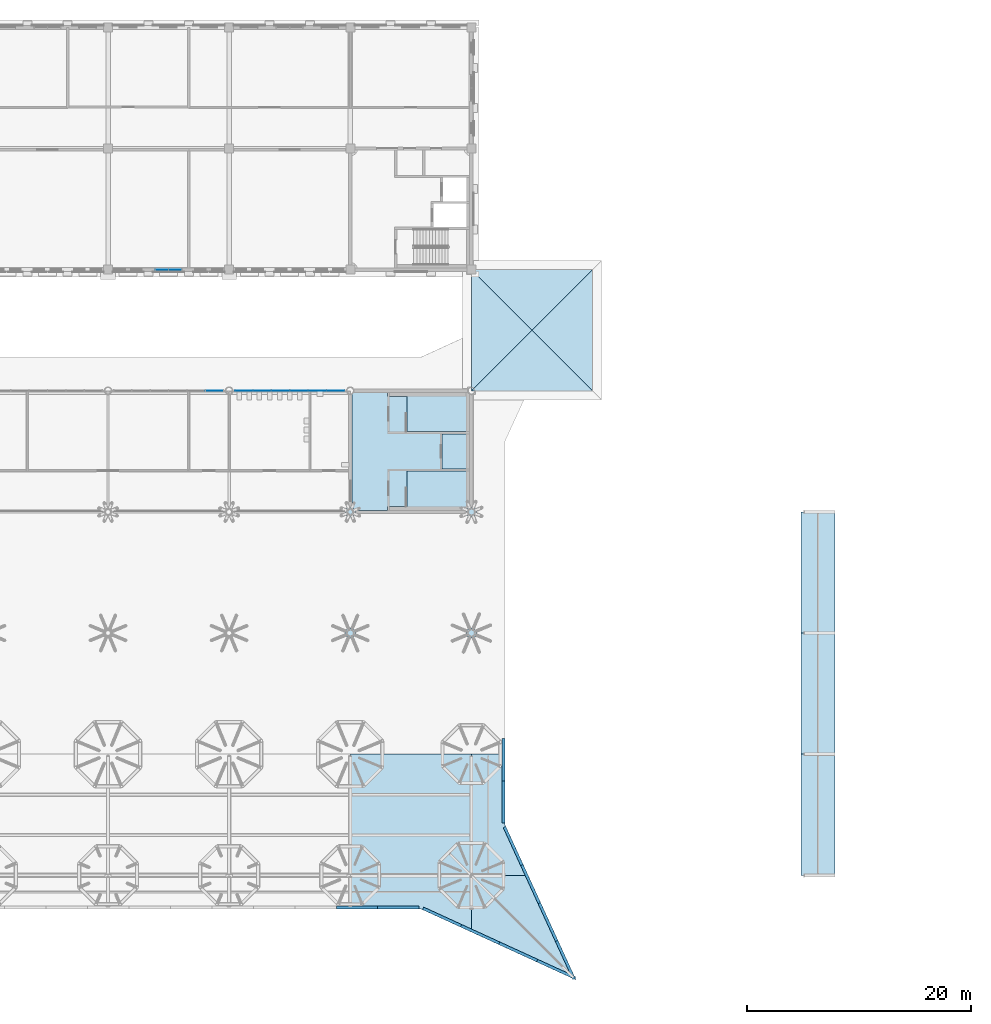
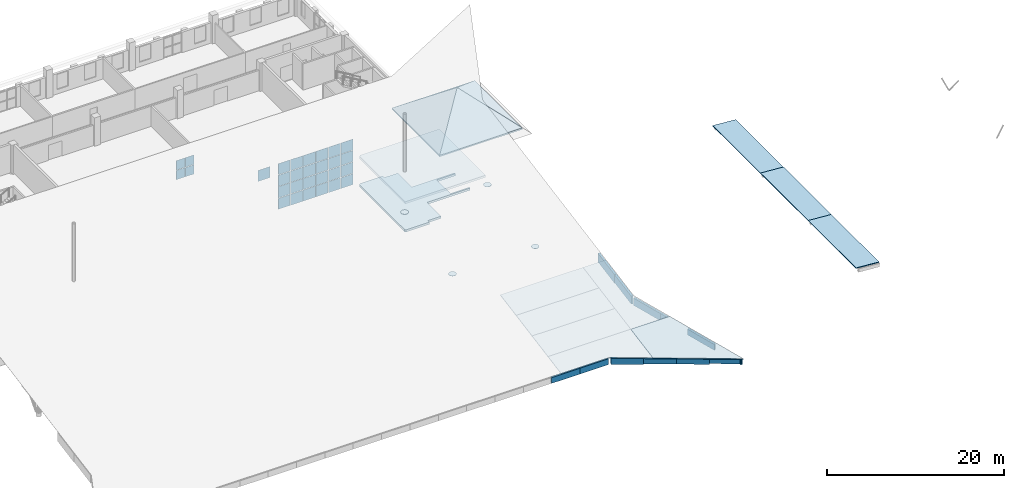
# One storey, part 31 of 56: 45 plates, 15 slabs, 3 elements without a shape of their own.
"""IFC4 building model written with IfcOpenShell, lengths in metres."""

from ifc_helpers import new_model, si_unit, direction, frame, origin, origin_2d, place, context, subcontext, project, spatial, polyline, rectangle, circle, outline, extrude, material, layer, layer_set, material_profile, profile_set, type_object, element, aggregate, save


model = new_model("IFC4")

# Units and contexts
model_context = context("Model", 3, precision=1e-05, world=origin(), true_north=direction((0.0, 1.0)))
body_context = subcontext(model_context, "Body", "Model", "MODEL_VIEW")
ifc_project = project(units=[si_unit("LENGTHUNIT", "METRE"), si_unit("AREAUNIT", "SQUARE_METRE"), si_unit("VOLUMEUNIT", "CUBIC_METRE"), si_unit("PLANEANGLEUNIT", "RADIAN"), si_unit("MASSUNIT", "GRAM", prefix="KILO")], contexts=[model_context])

# Site, building, storey
site_placement = place(None, origin())
site = spatial("IfcSite", under=ifc_project, at=site_placement, CompositionType="ELEMENT")
building_placement = place(site_placement, origin())
building = spatial("IfcBuilding", under=site, at=building_placement, Name="Magnolia Steps Interchange", CompositionType="ELEMENT")
storey_placement = place(building_placement, frame((0.0, 0.0, 8.699951171875)))
storey = spatial("IfcBuildingStorey", under=building, at=storey_placement, Name="L02", CompositionType="ELEMENT", Elevation=8.699951171875)

# Slabs
ifc_material_1 = material(Name="Concrete C30", Category="concrete")
ifc_layer_1 = layer(ifc_material_1, 0.10009765625)
ifc_layer_set_1 = layer_set([ifc_layer_1], Name="Composite roof deck 100")
slab_type_1 = type_object("IfcSlabType", Name="Composite roof deck 100", PredefinedType="ROOF", material=ifc_layer_set_1)
slab_1_placement = place(storey_placement, frame((118.0, 37.339599609375, 1.423095703125), z_axis=(1.424793e-06, -0.179958171072, 0.983674263495), x_axis=(-7e-12, 0.983674263496, 0.179958171072)))
element("IfcSlab", 1, at=slab_1_placement, inside=storey, type_object=slab_type_1, Name="Composite roof deck panel", PredefinedType="ROOF", context=body_context, shape_type="SweptSolid", body=[
    extrude(outline(polyline([(0.0, 0.0), (5.144291466, 0.0), (5.144291466, 10.800048828), (2.09450257, 10.800048828), (2.09450257, 4.5), (0.0, 0.0)])), origin(), (-0.179958171072, -1.401531e-06, -0.983674263495), 0.1015625),
])
slab_2_placement = place(storey_placement, frame((118.0, 42.39990234375, 2.348876953125), z_axis=(0.0, -0.179912650592, 0.983682590146), x_axis=(0.0, 0.983682590146, 0.179912650592)))
element("IfcSlab", 2, at=slab_2_placement, inside=storey, type_object=slab_type_1, Name="Composite roof deck panel", PredefinedType="ROOF", context=body_context, shape_type="SweptSolid", body=[
    extrude(outline(polyline([(0.0, 0.0), (3.65981638, 0.0), (3.65981638, 10.800048828), (0.0, 10.800048828), (0.0, 0.0)])), origin(), (-0.179912650592, 0.0, -0.983682590146), 0.1015625),
])
slab_3_placement = place(storey_placement, frame((118.0, 46.0, 3.00732421875), z_axis=(0.0, -0.179977198609, 0.983670782315), x_axis=(0.0, 0.983670782315, 0.179977198609)))
element("IfcSlab", 3, at=slab_3_placement, inside=storey, type_object=slab_type_1, Name="Composite roof deck panel", PredefinedType="ROOF", context=body_context, shape_type="SweptSolid", body=[
    extrude(outline(polyline([(0.0, 0.0), (3.659860312, 0.0), (3.659860312, 10.800048828), (0.0, 10.800048828), (0.0, 0.0)])), origin(), (-0.179977198609, 0.0, -0.983670782315), 0.1015625),
])
slab_4_placement = place(storey_placement, frame((118.0, 49.60009765625, 3.666015625), z_axis=(0.0, -0.179924457208, 0.983680430678), x_axis=(0.0, 0.983680430678, 0.179924457208)))
element("IfcSlab", 4, at=slab_4_placement, inside=storey, type_object=slab_type_1, Name="Composite roof deck panel", PredefinedType="ROOF", context=body_context, shape_type="SweptSolid", body=[
    extrude(outline(polyline([(0.0, 0.0), (3.659576223, 0.0), (3.659576223, 10.800048828), (0.0, 10.800048828), (0.0, 0.0)])), origin(), (-0.179924457208, 0.0, -0.983680430678), 0.1015625),
])
slab_5_placement = place(storey_placement, frame((123.060302734375, 42.39990234375, 2.348876953125), z_axis=(-4.539669e-06, -0.179958437245, 0.983674214791), x_axis=(-0.99999999999, 8.16952e-07, -4.465555e-06)))
element("IfcSlab", 5, at=slab_5_placement, inside=storey, type_object=slab_type_1, Name="Composite roof deck panel", PredefinedType="ROOF", context=body_context, shape_type="SweptSolid", body=[
    extrude(outline(polyline([(0.0, 0.0), (5.060302734, 0.0), (5.060302734, 5.144291466), (-4.2734375, 9.488642143), (0.0, 0.0)])), origin(), (4.465555e-06, 0.179958437247, -0.983674214791), 0.1015625),
])
slab_6_placement = place(storey_placement, frame((121.0, 53.199951171875, 4.324462890625), z_axis=(-1.220577e-05, -0.179940355729, 0.983677522479), x_axis=(-0.999999999926, 2.196311e-06, -1.2006541e-05)))
element("IfcSlab", 6, at=slab_6_placement, inside=storey, type_object=slab_type_1, Name="Composite roof deck panel", PredefinedType="ROOF", context=body_context, shape_type="SweptSolid", body=[
    extrude(outline(polyline([(0.0, 0.0), (3.0, 0.0), (2.999999999, 10.979252911), (-2.060302735, 10.979252911), (-1e-09, 6.404569568), (0.0, 0.0)])), origin(), (1.2006541e-05, 0.179940355743, -0.983677522479), 0.1015625),
])
for number, where, z_axis, x_axis, name in (
    (7, (147.39990234375, 42.39990234375, 0.5), (0.072723593097, 0.0, 0.997352133906), (0.997352133906, 0.0, -0.072723593097), "Composite roof deck panel"),
    (8, (147.39990234375, 53.199951171875, 0.5), (0.072723593097, 0.0, 0.997352133906), (0.997352133906, 0.0, -0.072723593097), "Composite roof deck panel"),
    (9, (147.39990234375, 64.0, 0.5), (0.072723593097, 0.0, 0.997352133906), (0.997352133906, 0.0, -0.072723593097), "Composite roof deck panel"),
):
    element("IfcSlab", number, at=place(storey_placement, frame(where, z_axis=z_axis, x_axis=x_axis)), inside=storey, type_object=slab_type_1, Name=name, PredefinedType="ROOF", context=body_context, shape_type="SweptSolid", body=[
        extrude(outline(polyline([(0.0, 0.0), (3.007964688, 0.0), (3.007964688, 10.800048828), (0.0, 10.800048828), (0.0, 0.0)])), origin(), (0.072723593097, 0.0, -0.997352133906), 0.100341796875),
    ])
ifc_material_2 = material(Name="Concrete C35", Category="concrete")
ifc_layer_2 = layer(ifc_material_2, 0.300048828125)
ifc_layer_set_2 = layer_set([ifc_layer_2], Name="Core floor slab 300")
slab_type_2 = type_object("IfcSlabType", Name="Core floor slab 300", PredefinedType="FLOOR", material=ifc_layer_set_2)
slab_7_placement = place(storey_placement, frame((0.0, 0.0, -0.300048828125)))
element("IfcSlab", 10, at=slab_7_placement, inside=storey, type_object=slab_type_2, Name="L02 core floor HC2", PredefinedType="FLOOR", context=body_context, shape_type="SweptSolid", body=[
    extrude(outline(polyline([(107.45361328125, 74.969482421875), (107.435791015625, 74.993408203125), (107.415771484375, 75.015625), (107.3935546875, 75.035888671875), (107.369384765625, 75.0537109375), (107.35009765625, 75.065185546875), (107.35009765625, 85.306396484375), (107.35546875, 85.30908203125), (107.38330078125, 85.32568359375), (107.409423828125, 85.344970703125), (107.433349609375, 85.36669921875), (107.455078125, 85.390625), (107.474365234375, 85.416748046875), (107.490966796875, 85.4443359375), (107.49365234375, 85.449951171875), (110.5, 85.449951171875), (110.5, 85.10009765625), (112.25, 85.10009765625), (112.25, 81.949951171875), (117.85009765625, 81.949951171875), (117.85009765625, 81.75), (115.39990234375, 81.75), (115.39990234375, 78.64990234375), (117.85009765625, 78.64990234375), (117.85009765625, 78.449951171875), (112.25, 78.449951171875), (112.25, 75.300048828125), (110.5, 75.300048828125), (110.5, 74.949951171875), (107.46533203125, 74.949951171875), (107.45361328125, 74.969482421875)])), origin(), (0.0, 0.0, 1.0), 0.300048828125),
])
ifc_material_3 = material(Name="Concrete C35", Category="concrete")
ifc_layer_3 = layer(ifc_material_3, 0.300048828125)
ifc_layer_set_3 = layer_set([ifc_layer_3], Name="Core roof slab")
slab_type_3 = type_object("IfcSlabType", Name="Core roof slab", PredefinedType="ROOF", material=ifc_layer_set_3)
slab_8_placement = place(storey_placement, frame((0.0, 0.0, 3.60009765625)))
element("IfcSlab", 11, at=slab_8_placement, inside=storey, type_object=slab_type_3, Name="HC2 core roof", PredefinedType="ROOF", context=body_context, shape_type="SweptSolid", body=[
    extrude(outline(polyline([(107.35009765625, 74.949951171875), (107.35009765625, 85.306396484375), (107.35546875, 85.30908203125), (107.38330078125, 85.32568359375), (107.409423828125, 85.344970703125), (107.433349609375, 85.36669921875), (107.455078125, 85.390625), (107.474365234375, 85.416748046875), (107.490966796875, 85.4443359375), (107.49365234375, 85.449951171875), (117.706298828125, 85.449951171875), (117.708984375, 85.4443359375), (117.7255859375, 85.416748046875), (117.744873046875, 85.390625), (117.7666015625, 85.36669921875), (117.790771484375, 85.344970703125), (117.816650390625, 85.32568359375), (117.844482421875, 85.30908203125), (117.85009765625, 85.306396484375), (117.85009765625, 74.949951171875), (107.35009765625, 74.949951171875)])), origin(), (0.0, 0.0, 1.0), 0.300048828125),
])

# Plates
ifc_material_4 = material(Name="White painted steel", Category="steel")
ifc_layer_4 = layer(ifc_material_4, 0.25)
ifc_layer_set_4 = layer_set([ifc_layer_4], Name="Fascia plate 250")
plate_type_1 = type_object("IfcPlateType", Name="Fascia plate 250", PredefinedType="SHEET", material=ifc_layer_set_4)
plate_1_placement = place(storey_placement, frame((105.949951171875, 39.39990234375, 0.8984375), z_axis=(0.0, -0.999996226323, 0.00274724238), x_axis=(1.0, 0.0, 0.0)))
element("IfcPlate", 12, at=plate_1_placement, inside=storey, type_object=plate_type_1, Name="Sloping fascia plate", PredefinedType="SHEET", context=body_context, shape_type="SweptSolid", body=[
    extrude(outline(polyline([(0.0, 0.0), (3.699951172, 0.0), (3.699951172, 0.799807706), (0.0, 0.799807706), (0.0, 0.0)])), origin(), (0.0, 0.0, -1.0), 0.25),
])
plate_2_placement = place(storey_placement, frame((109.64990234375, 39.39990234375, 0.8984375), z_axis=(0.0, -0.999996226323, 0.00274724238), x_axis=(1.0, 0.0, 0.0)))
element("IfcPlate", 13, at=plate_2_placement, inside=storey, type_object=plate_type_1, Name="Sloping fascia plate", PredefinedType="SHEET", context=body_context, shape_type="SweptSolid", body=[
    extrude(outline(polyline([(0.0, 0.0), (3.700195312, 0.0), (3.700195312, 0.799807706), (0.0, 0.799807706), (0.0, 0.0)])), origin(), (0.0, 0.0, -1.0), 0.25),
])
plate_3_placement = place(storey_placement, frame((113.636474609375, 39.337646484375, 0.886962890625), z_axis=(-0.416128631257, -0.909302625861, 0.002386807626), x_axis=(0.906604701742, -0.415093276006, -0.075930803986)))
element("IfcPlate", 14, at=plate_3_placement, inside=storey, type_object=plate_type_1, Name="Sloping fascia plate", PredefinedType="SHEET", context=body_context, shape_type="SweptSolid", body=[
    extrude(outline(polyline([(0.0, 0.0), (3.739400259, 0.0), (3.678827877, 0.797754966), (-0.060793722, 0.797737868), (0.0, 0.0)])), origin(), (0.0, 0.0, -1.0), 0.25),
])
plate_4_placement = place(storey_placement, frame((117.026611328125, 37.785400390625, 0.703125), z_axis=(-0.41610458598, -0.909312670877, 0.002727656407), x_axis=(0.906600489762, -0.415091432542, -0.075991148125)))
element("IfcPlate", 15, at=plate_4_placement, inside=storey, type_object=plate_type_1, Name="Sloping fascia plate", PredefinedType="SHEET", context=body_context, shape_type="SweptSolid", body=[
    extrude(outline(polyline([(0.0, 0.0), (3.739640143, 0.0), (3.686386127, 0.698169707), (-0.053014126, 0.69794342), (0.0, 0.0)])), origin(), (0.0, 0.0, -1.0), 0.25),
])
plate_5_placement = place(storey_placement, frame((120.4169921875, 36.233154296875, 0.4189453125), z_axis=(-0.416104748378, -0.909312596563, 0.002727656424), x_axis=(0.906609230669, -0.415095252535, -0.075865896084)))
element("IfcPlate", 16, at=plate_5_placement, inside=storey, type_object=plate_type_1, Name="Sloping fascia plate", PredefinedType="SHEET", context=body_context, shape_type="SweptSolid", body=[
    extrude(outline(polyline([(0.0, 0.0), (3.739381729, 0.0), (3.686455276, 0.697950074), (-0.053166316, 0.698176391), (0.0, 0.0)])), origin(), (0.0, 0.0, -1.0), 0.25),
])
plate_6_placement = place(storey_placement, frame((123.80712890625, 34.680908203125, 0.235107421875), z_axis=(-0.416032511496, -0.909343506275, 0.003367042346), x_axis=(0.906617373758, -0.41506641609, -0.075926331628)))
element("IfcPlate", 17, at=plate_6_placement, inside=storey, type_object=plate_type_1, Name="Sloping fascia plate", PredefinedType="SHEET", context=body_context, shape_type="SweptSolid", body=[
    extrude(outline(polyline([(0.0, 0.0), (3.739621598, 0.0), (3.693911734, 0.59835788), (-0.045387187, 0.598382044), (0.0, 0.0)])), origin(), (0.0, 0.0, -1.0), 0.25),
])
plate_7_placement = place(storey_placement, frame((127.271484375, 33.20263671875, -0.13525390625), z_axis=(0.90940265902, 0.415907302391, 0.002814175741), x_axis=(-0.410693643582, 0.896892667648, 0.164055703466)))
element("IfcPlate", 18, at=plate_7_placement, inside=storey, type_object=plate_type_1, Name="Sloping fascia plate", PredefinedType="SHEET", context=body_context, shape_type="SweptSolid", body=[
    extrude(outline(polyline([(0.0, 0.0), (3.779920398, 0.0), (3.894796345, 0.690462602), (0.114976214, 0.69044656), (0.0, 0.0)])), origin(), (0.0, 0.0, -1.0), 0.25),
])
plate_8_placement = place(storey_placement, frame((125.718994140625, 36.5927734375, 0.384765625), z_axis=(0.909415298833, 0.415881894921, 0.002462463124), x_axis=(-0.410611598076, 0.89691890942, 0.164117596405)))
element("IfcPlate", 19, at=plate_8_placement, inside=storey, type_object=plate_type_1, Name="Sloping fascia plate", PredefinedType="SHEET", context=body_context, shape_type="SweptSolid", body=[
    extrude(outline(polyline([(0.0, 0.0), (3.779978915, 0.0), (3.911385991, 0.788938564), (0.131346896, 0.789195518), (0.0, 0.0)])), origin(), (0.0, 0.0, -1.0), 0.25),
])
plate_9_placement = place(storey_placement, frame((124.1669921875, 39.983154296875, 0.905029296875), z_axis=(0.909381501287, 0.415956656525, 0.002311927839), x_axis=(-0.410666588017, 0.896904275165, 0.164059972809)))
element("IfcPlate", 20, at=plate_9_placement, inside=storey, type_object=plate_type_1, Name="Sloping fascia plate", PredefinedType="SHEET", context=body_context, shape_type="SweptSolid", body=[
    extrude(outline(polyline([(0.0, 0.0), (3.779820132, 0.0), (3.927643311, 0.887928123), (0.147783125, 0.887687291), (0.0, 0.0)])), origin(), (0.0, 0.0, -1.0), 0.25),
])
plate_10_placement = place(storey_placement, frame((122.61474609375, 43.373291015625, 1.42529296875), z_axis=(0.909375021518, 0.415971785891, 0.00213156773), x_axis=(-0.41065508238, 0.896911286788, 0.164050440256)))
element("IfcPlate", 21, at=plate_10_placement, inside=storey, type_object=plate_type_1, Name="Sloping fascia plate", PredefinedType="SHEET", context=body_context, shape_type="SweptSolid", body=[
    extrude(outline(polyline([(0.0, 0.0), (3.780039104, 0.0), (3.944015715, 0.986466643), (0.164195584, 0.986430007), (0.0, 0.0)])), origin(), (0.0, 0.0, -1.0), 0.25),
])
plate_11_placement = place(storey_placement, frame((121.0, 47.050048828125, 1.997802734375), z_axis=(0.999998370852, -0.000324840826, 0.001775604698), x_axis=(5.6606e-08, 0.983679608695, 0.179928951085)))
element("IfcPlate", 22, at=plate_11_placement, inside=storey, type_object=plate_type_1, Name="Sloping fascia plate", PredefinedType="SHEET", context=body_context, shape_type="SweptSolid", body=[
    extrude(outline(polyline([(0.0, 0.0), (3.829093873, 0.0), (4.02703329, 1.082145395), (0.197895489, 1.081905239), (0.0, 0.0)])), origin(), (0.0, 0.0, -1.0), 0.25),
])
plate_12_placement = place(storey_placement, frame((121.0, 50.816650390625, 2.5869140625), z_axis=(0.999998631028, -0.000297723592, 0.001627668169), x_axis=(0.0, 0.983679608713, 0.179928950984)))
element("IfcPlate", 23, at=plate_12_placement, inside=storey, type_object=plate_type_1, Name="Sloping fascia plate", PredefinedType="SHEET", context=body_context, shape_type="SweptSolid", body=[
    extrude(outline(polyline([(0.0, 0.0), (3.829093873, 0.0), (4.044999828, 1.180369115), (0.215905956, 1.180369115), (0.0, 0.0)])), origin(), (0.0, 0.0, -1.0), 0.25),
])

# Curtain wall, plates
ifc_material_5 = material(Name="Powder-coated aluminium and glass", Category="aluminium")
ifc_layer_5 = layer(ifc_material_5, 0.199951171875)
ifc_layer_set_5 = layer_set([ifc_layer_5], Name="Glazed central bay curtain wall")
curtain_wall_type_1 = type_object("IfcCurtainWallType", Name="Glazed central bay curtain wall", PredefinedType="NOTDEFINED", material=ifc_layer_set_5)
curtain_wall_1_placement = place(storey_placement, origin())
curtain_wall_1 = element("IfcCurtainWall", 24, at=curtain_wall_1_placement, inside=storey, type_object=curtain_wall_type_1, Name="Operations building south wall L02 glazing 2", PredefinedType="NOTDEFINED")
ifc_material_6 = material(Name="Laminated glass", Category="glass")
ifc_layer_6 = layer(ifc_material_6, 0.028076171875)
ifc_layer_set_6 = layer_set([ifc_layer_6], Name="Glass panel 28")
plate_type_2 = type_object("IfcPlateType", Name="Glass panel 28", PredefinedType="CURTAIN_PANEL", material=ifc_layer_set_6)
plate_13_placement = place(storey_placement, frame((90.4150390625, 96.39990234375, 0.06005859375), z_axis=(0.0, 0.0, 1.0), x_axis=(1.0, 0.0, 0.0)))
plate_13 = element("IfcPlate", 25, at=plate_13_placement, type_object=plate_type_2, Name="CW2 panel 1.1", PredefinedType="CURTAIN_PANEL", context=body_context, shape_type="SweptSolid", body=[
    extrude(rectangle(XDim=1.110107421875, YDim=0.028076171875, at=origin_2d()), origin(), (0.0, 0.0, 1.0), 1.284912109375),
])
plate_14_placement = place(storey_placement, frame((90.4150390625, 96.39990234375, 1.4052734375), z_axis=(0.0, 0.0, 1.0), x_axis=(1.0, 0.0, 0.0)))
plate_14 = element("IfcPlate", 26, at=plate_14_placement, type_object=plate_type_2, Name="CW2 panel 1.2", PredefinedType="CURTAIN_PANEL", context=body_context, shape_type="SweptSolid", body=[
    extrude(rectangle(XDim=1.110107421875, YDim=0.028076171875, at=origin_2d()), origin(), (0.0, 0.0, 1.0), 1.284912109375),
])
plate_15_placement = place(storey_placement, frame((91.5849609375, 96.39990234375, 0.06005859375), z_axis=(0.0, 0.0, 1.0), x_axis=(1.0, 0.0, 0.0)))
plate_15 = element("IfcPlate", 27, at=plate_15_placement, type_object=plate_type_2, Name="CW2 panel 2.1", PredefinedType="CURTAIN_PANEL", context=body_context, shape_type="SweptSolid", body=[
    extrude(rectangle(XDim=1.110107421875, YDim=0.028076171875, at=origin_2d()), origin(), (0.0, 0.0, 1.0), 1.284912109375),
])
plate_16_placement = place(storey_placement, frame((91.5849609375, 96.39990234375, 1.4052734375), z_axis=(0.0, 0.0, 1.0), x_axis=(1.0, 0.0, 0.0)))
plate_16 = element("IfcPlate", 28, at=plate_16_placement, type_object=plate_type_2, Name="CW2 panel 2.2", PredefinedType="CURTAIN_PANEL", context=body_context, shape_type="SweptSolid", body=[
    extrude(rectangle(XDim=1.110107421875, YDim=0.028076171875, at=origin_2d()), origin(), (0.0, 0.0, 1.0), 1.284912109375),
])
aggregate(curtain_wall_1, [plate_13, plate_14, plate_15, plate_16])

# Curtain wall, plate
ifc_material_7 = material(Name="Powder-coated aluminium and glass", Category="aluminium")
ifc_layer_7 = layer(ifc_material_7, 0.1201171875)
ifc_layer_set_7 = layer_set([ifc_layer_7], Name="Hall clerestory curtain wall")
curtain_wall_type_2 = type_object("IfcCurtainWallType", Name="Hall clerestory curtain wall", PredefinedType="NOTDEFINED", material=ifc_layer_set_7)
curtain_wall_2_placement = place(storey_placement, origin())
curtain_wall_2 = element("IfcCurtainWall", 29, at=curtain_wall_2_placement, inside=storey, type_object=curtain_wall_type_2, Name="Hall clerestory N4", PredefinedType="NOTDEFINED")
plate_17_placement = place(storey_placement, frame((95.0849609375, 85.60009765625, 4.830078125), z_axis=(0.0, 0.0, 1.0), x_axis=(1.0, 0.0, 0.0)))
plate_17 = element("IfcPlate", 30, at=plate_17_placement, type_object=plate_type_2, Name="CW6 panel 6.4", PredefinedType="CURTAIN_PANEL", context=body_context, shape_type="SweptSolid", body=[
    extrude(rectangle(XDim=1.550048828125, YDim=0.028076171875, at=origin_2d()), origin(), (0.0, 0.0, 1.0), 1.510009765625),
])
aggregate(curtain_wall_2, [plate_17])

# Curtain wall, plates
curtain_wall_3_placement = place(storey_placement, origin())
curtain_wall_3 = element("IfcCurtainWall", 31, at=curtain_wall_3_placement, inside=storey, type_object=curtain_wall_type_2, Name="Hall clerestory N5", PredefinedType="NOTDEFINED")
plate_18_placement = place(storey_placement, frame((97.715087890625, 85.60009765625, 0.06005859375), z_axis=(0.0, 0.0, 1.0), x_axis=(1.0, 0.0, 0.0)))
plate_18 = element("IfcPlate", 32, at=plate_18_placement, type_object=plate_type_2, Name="CW6 panel 1.1", PredefinedType="CURTAIN_PANEL", context=body_context, shape_type="SweptSolid", body=[
    extrude(rectangle(XDim=1.550048828125, YDim=0.028076171875, at=origin_2d()), origin(), (0.0, 0.0, 1.0), 1.510009765625),
])
plate_19_placement = place(storey_placement, frame((97.715087890625, 85.60009765625, 1.630126953125), z_axis=(0.0, 0.0, 1.0), x_axis=(1.0, 0.0, 0.0)))
plate_19 = element("IfcPlate", 33, at=plate_19_placement, type_object=plate_type_2, Name="CW6 panel 1.2", PredefinedType="CURTAIN_PANEL", context=body_context, shape_type="SweptSolid", body=[
    extrude(rectangle(XDim=1.550048828125, YDim=0.028076171875, at=origin_2d()), origin(), (0.0, 0.0, 1.0), 1.5400390625),
])
plate_20_placement = place(storey_placement, frame((97.715087890625, 85.60009765625, 3.22998046875), z_axis=(0.0, 0.0, 1.0), x_axis=(1.0, 0.0, 0.0)))
plate_20 = element("IfcPlate", 34, at=plate_20_placement, type_object=plate_type_2, Name="CW6 panel 1.3", PredefinedType="CURTAIN_PANEL", context=body_context, shape_type="SweptSolid", body=[
    extrude(rectangle(XDim=1.550048828125, YDim=0.028076171875, at=origin_2d()), origin(), (0.0, 0.0, 1.0), 1.5400390625),
])
plate_21_placement = place(storey_placement, frame((97.715087890625, 85.60009765625, 4.830078125), z_axis=(0.0, 0.0, 1.0), x_axis=(1.0, 0.0, 0.0)))
plate_21 = element("IfcPlate", 35, at=plate_21_placement, type_object=plate_type_2, Name="CW6 panel 1.4", PredefinedType="CURTAIN_PANEL", context=body_context, shape_type="SweptSolid", body=[
    extrude(rectangle(XDim=1.550048828125, YDim=0.028076171875, at=origin_2d()), origin(), (0.0, 0.0, 1.0), 1.510009765625),
])
plate_22_placement = place(storey_placement, frame((99.340087890625, 85.60009765625, 0.06005859375), z_axis=(0.0, 0.0, 1.0), x_axis=(1.0, 0.0, 0.0)))
plate_22 = element("IfcPlate", 36, at=plate_22_placement, type_object=plate_type_2, Name="CW6 panel 2.1", PredefinedType="CURTAIN_PANEL", context=body_context, shape_type="SweptSolid", body=[
    extrude(rectangle(XDim=1.580078125, YDim=0.028076171875, at=origin_2d()), origin(), (0.0, 0.0, 1.0), 1.510009765625),
])
plate_23_placement = place(storey_placement, frame((99.340087890625, 85.60009765625, 1.630126953125), z_axis=(0.0, 0.0, 1.0), x_axis=(1.0, 0.0, 0.0)))
plate_23 = element("IfcPlate", 37, at=plate_23_placement, type_object=plate_type_2, Name="CW6 panel 2.2", PredefinedType="CURTAIN_PANEL", context=body_context, shape_type="SweptSolid", body=[
    extrude(rectangle(XDim=1.580078125, YDim=0.028076171875, at=origin_2d()), origin(), (0.0, 0.0, 1.0), 1.5400390625),
])
plate_24_placement = place(storey_placement, frame((99.340087890625, 85.60009765625, 3.22998046875), z_axis=(0.0, 0.0, 1.0), x_axis=(1.0, 0.0, 0.0)))
plate_24 = element("IfcPlate", 38, at=plate_24_placement, type_object=plate_type_2, Name="CW6 panel 2.3", PredefinedType="CURTAIN_PANEL", context=body_context, shape_type="SweptSolid", body=[
    extrude(rectangle(XDim=1.580078125, YDim=0.028076171875, at=origin_2d()), origin(), (0.0, 0.0, 1.0), 1.5400390625),
])
plate_25_placement = place(storey_placement, frame((99.340087890625, 85.60009765625, 4.830078125), z_axis=(0.0, 0.0, 1.0), x_axis=(1.0, 0.0, 0.0)))
plate_25 = element("IfcPlate", 39, at=plate_25_placement, type_object=plate_type_2, Name="CW6 panel 2.4", PredefinedType="CURTAIN_PANEL", context=body_context, shape_type="SweptSolid", body=[
    extrude(rectangle(XDim=1.580078125, YDim=0.028076171875, at=origin_2d()), origin(), (0.0, 0.0, 1.0), 1.510009765625),
])
plate_26_placement = place(storey_placement, frame((100.97998046875, 85.60009765625, 0.06005859375), z_axis=(0.0, 0.0, 1.0), x_axis=(1.0, 0.0, 0.0)))
plate_26 = element("IfcPlate", 40, at=plate_26_placement, type_object=plate_type_2, Name="CW6 panel 3.1", PredefinedType="CURTAIN_PANEL", context=body_context, shape_type="SweptSolid", body=[
    extrude(rectangle(XDim=1.580078125, YDim=0.028076171875, at=origin_2d()), origin(), (0.0, 0.0, 1.0), 1.510009765625),
])
plate_27_placement = place(storey_placement, frame((100.97998046875, 85.60009765625, 1.630126953125), z_axis=(0.0, 0.0, 1.0), x_axis=(1.0, 0.0, 0.0)))
plate_27 = element("IfcPlate", 41, at=plate_27_placement, type_object=plate_type_2, Name="CW6 panel 3.2", PredefinedType="CURTAIN_PANEL", context=body_context, shape_type="SweptSolid", body=[
    extrude(rectangle(XDim=1.580078125, YDim=0.028076171875, at=origin_2d()), origin(), (0.0, 0.0, 1.0), 1.5400390625),
])
plate_28_placement = place(storey_placement, frame((100.97998046875, 85.60009765625, 3.22998046875), z_axis=(0.0, 0.0, 1.0), x_axis=(1.0, 0.0, 0.0)))
plate_28 = element("IfcPlate", 42, at=plate_28_placement, type_object=plate_type_2, Name="CW6 panel 3.3", PredefinedType="CURTAIN_PANEL", context=body_context, shape_type="SweptSolid", body=[
    extrude(rectangle(XDim=1.580078125, YDim=0.028076171875, at=origin_2d()), origin(), (0.0, 0.0, 1.0), 1.5400390625),
])
plate_29_placement = place(storey_placement, frame((100.97998046875, 85.60009765625, 4.830078125), z_axis=(0.0, 0.0, 1.0), x_axis=(1.0, 0.0, 0.0)))
plate_29 = element("IfcPlate", 43, at=plate_29_placement, type_object=plate_type_2, Name="CW6 panel 3.4", PredefinedType="CURTAIN_PANEL", context=body_context, shape_type="SweptSolid", body=[
    extrude(rectangle(XDim=1.580078125, YDim=0.028076171875, at=origin_2d()), origin(), (0.0, 0.0, 1.0), 1.510009765625),
])
plate_30_placement = place(storey_placement, frame((102.6201171875, 85.60009765625, 0.06005859375), z_axis=(0.0, 0.0, 1.0), x_axis=(1.0, 0.0, 0.0)))
plate_30 = element("IfcPlate", 44, at=plate_30_placement, type_object=plate_type_2, Name="CW6 panel 4.1", PredefinedType="CURTAIN_PANEL", context=body_context, shape_type="SweptSolid", body=[
    extrude(rectangle(XDim=1.580078125, YDim=0.028076171875, at=origin_2d()), origin(), (0.0, 0.0, 1.0), 1.510009765625),
])
plate_31_placement = place(storey_placement, frame((102.6201171875, 85.60009765625, 1.630126953125), z_axis=(0.0, 0.0, 1.0), x_axis=(1.0, 0.0, 0.0)))
plate_31 = element("IfcPlate", 45, at=plate_31_placement, type_object=plate_type_2, Name="CW6 panel 4.2", PredefinedType="CURTAIN_PANEL", context=body_context, shape_type="SweptSolid", body=[
    extrude(rectangle(XDim=1.580078125, YDim=0.028076171875, at=origin_2d()), origin(), (0.0, 0.0, 1.0), 1.5400390625),
])
plate_32_placement = place(storey_placement, frame((102.6201171875, 85.60009765625, 3.22998046875), z_axis=(0.0, 0.0, 1.0), x_axis=(1.0, 0.0, 0.0)))
plate_32 = element("IfcPlate", 46, at=plate_32_placement, type_object=plate_type_2, Name="CW6 panel 4.3", PredefinedType="CURTAIN_PANEL", context=body_context, shape_type="SweptSolid", body=[
    extrude(rectangle(XDim=1.580078125, YDim=0.028076171875, at=origin_2d()), origin(), (0.0, 0.0, 1.0), 1.5400390625),
])
plate_33_placement = place(storey_placement, frame((102.6201171875, 85.60009765625, 4.830078125), z_axis=(0.0, 0.0, 1.0), x_axis=(1.0, 0.0, 0.0)))
plate_33 = element("IfcPlate", 47, at=plate_33_placement, type_object=plate_type_2, Name="CW6 panel 4.4", PredefinedType="CURTAIN_PANEL", context=body_context, shape_type="SweptSolid", body=[
    extrude(rectangle(XDim=1.580078125, YDim=0.028076171875, at=origin_2d()), origin(), (0.0, 0.0, 1.0), 1.510009765625),
])
plate_34_placement = place(storey_placement, frame((104.260009765625, 85.60009765625, 0.06005859375), z_axis=(0.0, 0.0, 1.0), x_axis=(1.0, 0.0, 0.0)))
plate_34 = element("IfcPlate", 48, at=plate_34_placement, type_object=plate_type_2, Name="CW6 panel 5.1", PredefinedType="CURTAIN_PANEL", context=body_context, shape_type="SweptSolid", body=[
    extrude(rectangle(XDim=1.580078125, YDim=0.028076171875, at=origin_2d()), origin(), (0.0, 0.0, 1.0), 1.510009765625),
])
plate_35_placement = place(storey_placement, frame((104.260009765625, 85.60009765625, 1.630126953125), z_axis=(0.0, 0.0, 1.0), x_axis=(1.0, 0.0, 0.0)))
plate_35 = element("IfcPlate", 49, at=plate_35_placement, type_object=plate_type_2, Name="CW6 panel 5.2", PredefinedType="CURTAIN_PANEL", context=body_context, shape_type="SweptSolid", body=[
    extrude(rectangle(XDim=1.580078125, YDim=0.028076171875, at=origin_2d()), origin(), (0.0, 0.0, 1.0), 1.5400390625),
])
plate_36_placement = place(storey_placement, frame((104.260009765625, 85.60009765625, 3.22998046875), z_axis=(0.0, 0.0, 1.0), x_axis=(1.0, 0.0, 0.0)))
plate_36 = element("IfcPlate", 50, at=plate_36_placement, type_object=plate_type_2, Name="CW6 panel 5.3", PredefinedType="CURTAIN_PANEL", context=body_context, shape_type="SweptSolid", body=[
    extrude(rectangle(XDim=1.580078125, YDim=0.028076171875, at=origin_2d()), origin(), (0.0, 0.0, 1.0), 1.5400390625),
])
plate_37_placement = place(storey_placement, frame((104.260009765625, 85.60009765625, 4.830078125), z_axis=(0.0, 0.0, 1.0), x_axis=(1.0, 0.0, 0.0)))
plate_37 = element("IfcPlate", 51, at=plate_37_placement, type_object=plate_type_2, Name="CW6 panel 5.4", PredefinedType="CURTAIN_PANEL", context=body_context, shape_type="SweptSolid", body=[
    extrude(rectangle(XDim=1.580078125, YDim=0.028076171875, at=origin_2d()), origin(), (0.0, 0.0, 1.0), 1.510009765625),
])
plate_38_placement = place(storey_placement, frame((105.885009765625, 85.60009765625, 0.06005859375), z_axis=(0.0, 0.0, 1.0), x_axis=(1.0, 0.0, 0.0)))
plate_38 = element("IfcPlate", 52, at=plate_38_placement, type_object=plate_type_2, Name="CW6 panel 6.1", PredefinedType="CURTAIN_PANEL", context=body_context, shape_type="SweptSolid", body=[
    extrude(rectangle(XDim=1.550048828125, YDim=0.028076171875, at=origin_2d()), origin(), (0.0, 0.0, 1.0), 1.510009765625),
])
plate_39_placement = place(storey_placement, frame((105.885009765625, 85.60009765625, 1.630126953125), z_axis=(0.0, 0.0, 1.0), x_axis=(1.0, 0.0, 0.0)))
plate_39 = element("IfcPlate", 53, at=plate_39_placement, type_object=plate_type_2, Name="CW6 panel 6.2", PredefinedType="CURTAIN_PANEL", context=body_context, shape_type="SweptSolid", body=[
    extrude(rectangle(XDim=1.550048828125, YDim=0.028076171875, at=origin_2d()), origin(), (0.0, 0.0, 1.0), 1.5400390625),
])
plate_40_placement = place(storey_placement, frame((105.885009765625, 85.60009765625, 3.22998046875), z_axis=(0.0, 0.0, 1.0), x_axis=(1.0, 0.0, 0.0)))
plate_40 = element("IfcPlate", 54, at=plate_40_placement, type_object=plate_type_2, Name="CW6 panel 6.3", PredefinedType="CURTAIN_PANEL", context=body_context, shape_type="SweptSolid", body=[
    extrude(rectangle(XDim=1.550048828125, YDim=0.028076171875, at=origin_2d()), origin(), (0.0, 0.0, 1.0), 1.5400390625),
])
plate_41_placement = place(storey_placement, frame((105.885009765625, 85.60009765625, 4.830078125), z_axis=(0.0, 0.0, 1.0), x_axis=(1.0, 0.0, 0.0)))
plate_41 = element("IfcPlate", 55, at=plate_41_placement, type_object=plate_type_2, Name="CW6 panel 6.4", PredefinedType="CURTAIN_PANEL", context=body_context, shape_type="SweptSolid", body=[
    extrude(rectangle(XDim=1.550048828125, YDim=0.028076171875, at=origin_2d()), origin(), (0.0, 0.0, 1.0), 1.510009765625),
])
aggregate(curtain_wall_3, [plate_18, plate_19, plate_20, plate_21, plate_22, plate_23, plate_24, plate_25, plate_26, plate_27, plate_28, plate_29, plate_30, plate_31, plate_32, plate_33, plate_34, plate_35, plate_36, plate_37, plate_38, plate_39, plate_40, plate_41])

# Slabs
ifc_material_8 = material(Name="Concrete C40", Category="concrete")
ifc_layer_8 = layer(ifc_material_8, 0.14990234375)
ifc_layer_set_8 = layer_set([ifc_layer_8], Name="Pavilion roof slab 150")
slab_type_4 = type_object("IfcSlabType", Name="Pavilion roof slab 150", PredefinedType="ROOF", material=ifc_layer_set_8)
slab_9_placement = place(storey_placement, frame((118.0, 85.60009765625, 0.1181640625), z_axis=(0.0, -0.6156730791, 0.788001687607), x_axis=(1.0, 0.0, 0.0)))
element("IfcSlab", 56, at=slab_9_placement, inside=storey, type_object=slab_type_4, Name="Pavilion roof slab WC-E 1", PredefinedType="ROOF", context=body_context, shape_type="SweptSolid", body=[
    extrude(outline(polyline([(0.0, 0.0), (10.800048828, 0.0), (5.399902344, 6.852653273), (0.0, 0.0)])), origin(), (0.0, -0.6156730791, -0.788001687607), 0.1904296875),
])
slab_10_placement = place(storey_placement, frame((128.800048828125, 96.39990234375, 0.1181640625), z_axis=(0.0, 0.6156730791, 0.788001687607), x_axis=(-1.0, 0.0, 0.0)))
element("IfcSlab", 57, at=slab_10_placement, inside=storey, type_object=slab_type_4, Name="Pavilion roof slab WC-E 2", PredefinedType="ROOF", context=body_context, shape_type="SweptSolid", body=[
    extrude(outline(polyline([(0.0, 0.0), (10.800048828, 0.0), (5.400146484, 6.852653273), (0.0, 0.0)])), origin(), (0.0, -0.6156730791, -0.788001687607), 0.1904296875),
])
slab_11_placement = place(storey_placement, frame((118.0, 96.39990234375, 0.1181640625), z_axis=(-0.6156730791, 0.0, 0.788001687607), x_axis=(0.0, -1.0, 0.0)))
element("IfcSlab", 58, at=slab_11_placement, inside=storey, type_object=slab_type_4, Name="Pavilion roof slab WC-E 3", PredefinedType="ROOF", context=body_context, shape_type="SweptSolid", body=[
    extrude(outline(polyline([(0.0, 0.0), (10.799804688, 0.0), (5.399902344, 6.852653273), (0.0, 0.0)])), origin(), (0.0, -0.6156730791, -0.788001687607), 0.1904296875),
])
slab_12_placement = place(storey_placement, frame((128.800048828125, 85.60009765625, 0.1181640625), z_axis=(0.615655794866, 0.0, 0.788015191635), x_axis=(0.0, 1.0, 0.0)))
element("IfcSlab", 59, at=slab_12_placement, inside=storey, type_object=slab_type_4, Name="Pavilion roof slab WC-E 4", PredefinedType="ROOF", context=body_context, shape_type="SweptSolid", body=[
    extrude(outline(polyline([(0.0, 0.0), (10.799804688, 0.0), (5.399902344, 6.852845658), (0.0, 0.0)])), origin(), (0.0, -0.615655794866, -0.788015191635), 0.1904296875),
])

# Plates
ifc_material_9 = material(Name="Steel Q355B", Category="steel")
ifc_material_profile = material_profile(ifc_material_9, circle(Radius=0.449951171875, at=origin_2d()), Name="Tree head plate 900 x 30")
ifc_profile_set = profile_set([ifc_material_profile], Name="Steel Q355B")
plate_type_3 = type_object("IfcPlateType", Name="Tree head plate 900 x 30", PredefinedType="SHEET", material=ifc_profile_set)
for number, where, z_axis, x_axis, name in (
    (60, (107.199951171875, 64.0, 0.64013671875), (0.0, 0.0, 1.0), (1.0, 0.0, 0.0), "Tree head plate TH06C"),
    (61, (107.199951171875, 74.800048828125, 2.61572265625), (0.0, 0.0, 1.0), (1.0, 0.0, 0.0), "Tree head plate TH06D"),
    (62, (118.0, 64.0, 0.64013671875), (0.0, 0.0, 1.0), (1.0, 0.0, 0.0), "Tree head plate TH07C"),
    (63, (118.0, 74.800048828125, 2.61572265625), (0.0, 0.0, 1.0), (1.0, 0.0, 0.0), "Tree head plate TH07D"),
):
    element("IfcPlate", number, at=place(storey_placement, frame(where, z_axis=z_axis, x_axis=x_axis)), inside=storey, type_object=plate_type_3, Name=name, PredefinedType="SHEET", context=body_context, shape_type="SweptSolid", body=[
        extrude(circle(Radius=0.449951171875, at=origin_2d()), origin(), (0.0, 0.0, 1.0), 0.030029296875),
    ])

save(model, "model.ifc")
